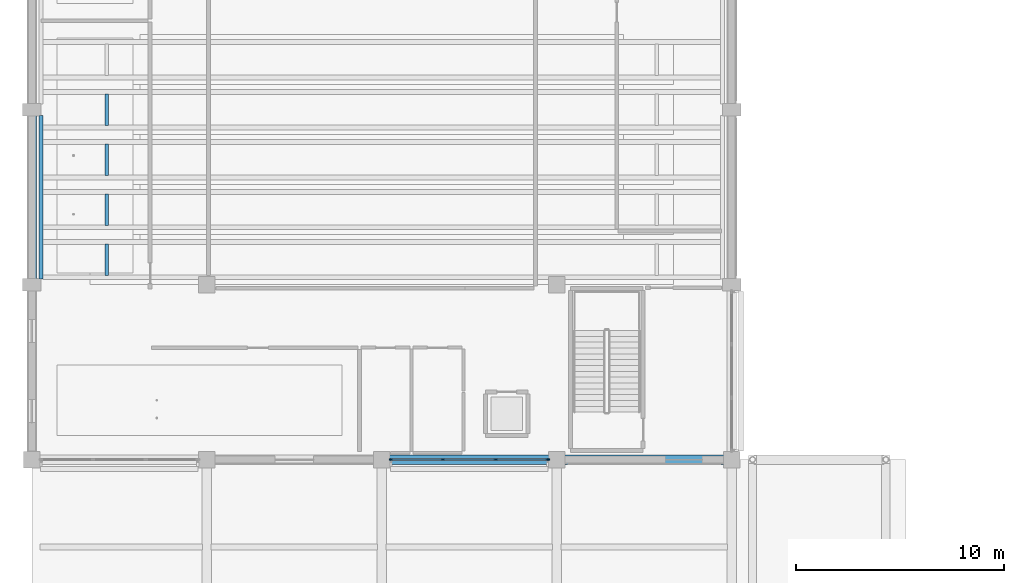
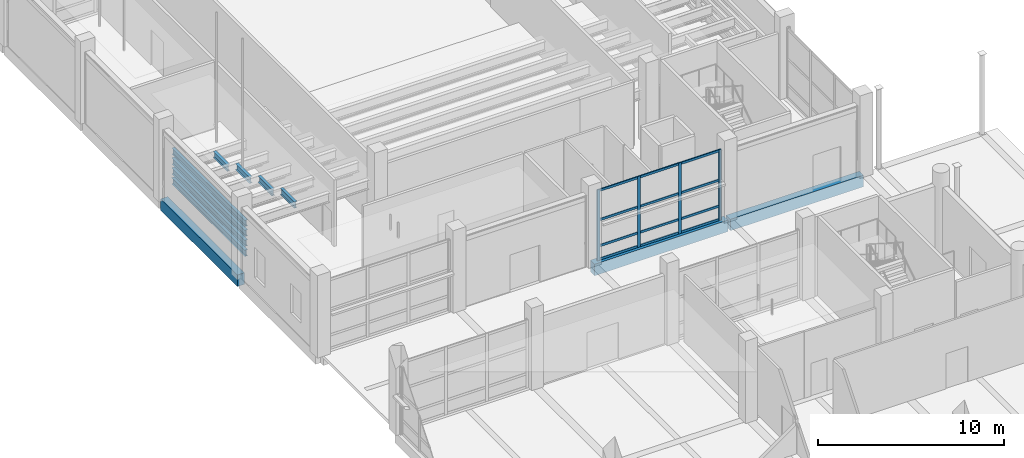
# One storey, part 36 of 140: 16 members, 11 beams, 1 element without a shape of its own.
"""IFC4 building model written with IfcOpenShell, lengths in metres."""

from ifc_helpers import new_model, si_unit, direction, frame, origin, origin_2d, place, context, subcontext, project, spatial, rectangle, i_section, extrude, material, layer, layer_set, material_profile, profile_set, type_object, element, aggregate, save


model = new_model("IFC4")

# Units and contexts
model_context = context("Model", 3, precision=1e-05, world=origin(), true_north=direction((0.0, 1.0)))
body_context = subcontext(model_context, "Body", "Model", "MODEL_VIEW")
ifc_project = project(units=[si_unit("LENGTHUNIT", "METRE"), si_unit("AREAUNIT", "SQUARE_METRE"), si_unit("VOLUMEUNIT", "CUBIC_METRE"), si_unit("PLANEANGLEUNIT", "RADIAN"), si_unit("MASSUNIT", "GRAM", prefix="KILO")], contexts=[model_context])

# Site, building, storey
site_placement = place(None, origin())
site = spatial("IfcSite", under=ifc_project, at=site_placement, CompositionType="ELEMENT")
building_placement = place(site_placement, origin())
building = spatial("IfcBuilding", under=site, at=building_placement, Name="Telukmera Botanical Conservatory", CompositionType="ELEMENT")
storey_placement = place(building_placement, origin())
storey = spatial("IfcBuildingStorey", under=building, at=storey_placement, Name="L00", CompositionType="ELEMENT", Elevation=0.0)

# Beams
ifc_material_1 = material(Name="Concrete C40/50", Category="concrete")
ifc_material_profile_1 = material_profile(ifc_material_1, rectangle(XDim=0.449951171875, YDim=0.75, at=origin_2d()), Name="RC 450x750")
ifc_profile_set_1 = profile_set([ifc_material_profile_1], Name="Concrete C40/50")
beam_type_1 = type_object("IfcBeamType", Name="Beam_B6", PredefinedType="BEAM", material=ifc_profile_set_1)
for number, where, z_axis, x_axis, name in (
    (1, (25.280029296875, 83.199951171875, -0.375), (1.0, 0.0, 0.0), (0.0, 1.0, 0.0), "Auditorium Frame Beam beam:V2:L00:gx:832:252"),
    (2, (33.679931640625, 83.199951171875, -0.375), (1.0, 0.0, 0.0), (0.0, 1.0, 0.0), "Auditorium Frame Beam beam:V2:L00:gx:832:336"),
    (3, (8.39990234375, 91.679931640625, -0.375), (0.0, 1.0, 0.0), (-1.0, 0.0, 0.0), "Auditorium Frame Beam beam:V2:L00:gy:84:916"),
):
    element("IfcBeam", number, at=place(storey_placement, frame(where, z_axis=z_axis, x_axis=x_axis)), inside=storey, type_object=beam_type_1, Name=name, PredefinedType="BEAM", context=body_context, shape_type="SweptSolid", body=[
        extrude(rectangle(XDim=0.449951171875, YDim=0.75, at=origin_2d()), origin(), (0.0, 0.0, 1.0), 8.239990234375),
    ])
ifc_material_2 = material(Name="Steel S355", Category="steel")
ifc_material_profile_2 = material_profile(ifc_material_2, i_section(OverallWidth=0.1787109375, OverallDepth=0.409423828125, WebThickness=0.0087890625, FlangeThickness=0.014404296875, FilletRadius=0.01025390625, at=origin_2d()), Name="UB 406x178x67")
ifc_profile_set_2 = profile_set([ifc_material_profile_2], Name="Steel S355")
beam_type_2 = type_object("IfcBeamType", Name="Beam_SB4", PredefinedType="BEAM", material=ifc_profile_set_2)
beam_1_placement = place(storey_placement, frame((8.840087890625, 91.8798828125, 3.04541015625), z_axis=(0.0, 1.0, 0.0), x_axis=(-1.0, 0.0, 0.0)))
element("IfcBeam", 4, at=beam_1_placement, inside=storey, type_object=beam_type_2, Name="Auditorium Tier Perimeter Stringer 1-A", PredefinedType="BEAM", context=body_context, shape_type="SweptSolid", body=[
    extrude(i_section(OverallWidth=0.1787109375, OverallDepth=0.409423828125, WebThickness=0.0087890625, FlangeThickness=0.014404296875, FilletRadius=0.01025390625, at=origin_2d()), origin(), (0.0, 0.0, 1.0), 7.840087890625),
])
beam_2_placement = place(storey_placement, frame((12.0, 92.050048828125, 3.04541015625), z_axis=(0.0, 1.0, 0.0), x_axis=(-1.0, 0.0, 0.0)))
element("IfcBeam", 5, at=beam_2_placement, inside=storey, type_object=beam_type_2, Name="Auditorium Seating Tier Cross Trimmer 1-W", PredefinedType="BEAM", context=body_context, shape_type="SweptSolid", body=[
    extrude(i_section(OverallWidth=0.1787109375, OverallDepth=0.409423828125, WebThickness=0.0087890625, FlangeThickness=0.014404296875, FilletRadius=0.01025390625, at=origin_2d()), origin(), (0.0, 0.0, 1.0), 1.5),
])
beam_3_placement = place(storey_placement, frame((8.840087890625, 91.8798828125, 2.395263671875), z_axis=(0.0, 1.0, 0.0), x_axis=(-1.0, 0.0, 0.0)))
element("IfcBeam", 6, at=beam_3_placement, inside=storey, type_object=beam_type_2, Name="Auditorium Tier Perimeter Stringer 2-A", PredefinedType="BEAM", context=body_context, shape_type="SweptSolid", body=[
    extrude(i_section(OverallWidth=0.1787109375, OverallDepth=0.409423828125, WebThickness=0.0087890625, FlangeThickness=0.014404296875, FilletRadius=0.01025390625, at=origin_2d()), origin(), (0.0, 0.0, 1.0), 7.840087890625),
])
beam_4_placement = place(storey_placement, frame((12.0, 94.449951171875, 2.395263671875), z_axis=(0.0, 1.0, 0.0), x_axis=(-1.0, 0.0, 0.0)))
element("IfcBeam", 7, at=beam_4_placement, inside=storey, type_object=beam_type_2, Name="Auditorium Seating Tier Cross Trimmer 2-W", PredefinedType="BEAM", context=body_context, shape_type="SweptSolid", body=[
    extrude(i_section(OverallWidth=0.1787109375, OverallDepth=0.409423828125, WebThickness=0.0087890625, FlangeThickness=0.014404296875, FilletRadius=0.01025390625, at=origin_2d()), origin(), (0.0, 0.0, 1.0), 1.5),
])
beam_5_placement = place(storey_placement, frame((8.840087890625, 91.8798828125, 1.745361328125), z_axis=(0.0, 1.0, 0.0), x_axis=(-1.0, 0.0, 0.0)))
element("IfcBeam", 8, at=beam_5_placement, inside=storey, type_object=beam_type_2, Name="Auditorium Tier Perimeter Stringer 3-A", PredefinedType="BEAM", context=body_context, shape_type="SweptSolid", body=[
    extrude(i_section(OverallWidth=0.1787109375, OverallDepth=0.409423828125, WebThickness=0.0087890625, FlangeThickness=0.014404296875, FilletRadius=0.01025390625, at=origin_2d()), origin(), (0.0, 0.0, 1.0), 7.840087890625),
])
beam_6_placement = place(storey_placement, frame((12.0, 96.85009765625, 1.745361328125), z_axis=(0.0, 1.0, 0.0), x_axis=(-1.0, 0.0, 0.0)))
element("IfcBeam", 9, at=beam_6_placement, inside=storey, type_object=beam_type_2, Name="Auditorium Seating Tier Cross Trimmer 3-W", PredefinedType="BEAM", context=body_context, shape_type="SweptSolid", body=[
    extrude(i_section(OverallWidth=0.1787109375, OverallDepth=0.409423828125, WebThickness=0.0087890625, FlangeThickness=0.014404296875, FilletRadius=0.01025390625, at=origin_2d()), origin(), (0.0, 0.0, 1.0), 1.5),
])
beam_7_placement = place(storey_placement, frame((8.840087890625, 91.8798828125, 1.09521484375), z_axis=(0.0, 1.0, 0.0), x_axis=(-1.0, 0.0, 0.0)))
element("IfcBeam", 10, at=beam_7_placement, inside=storey, type_object=beam_type_2, Name="Auditorium Tier Perimeter Stringer 4-A", PredefinedType="BEAM", context=body_context, shape_type="SweptSolid", body=[
    extrude(i_section(OverallWidth=0.1787109375, OverallDepth=0.409423828125, WebThickness=0.0087890625, FlangeThickness=0.014404296875, FilletRadius=0.01025390625, at=origin_2d()), origin(), (0.0, 0.0, 1.0), 7.840087890625),
])
beam_8_placement = place(storey_placement, frame((12.0, 99.25, 1.09521484375), z_axis=(0.0, 1.0, 0.0), x_axis=(-1.0, 0.0, 0.0)))
element("IfcBeam", 11, at=beam_8_placement, inside=storey, type_object=beam_type_2, Name="Auditorium Seating Tier Cross Trimmer 4-W", PredefinedType="BEAM", context=body_context, shape_type="SweptSolid", body=[
    extrude(i_section(OverallWidth=0.1787109375, OverallDepth=0.409423828125, WebThickness=0.0087890625, FlangeThickness=0.014404296875, FilletRadius=0.01025390625, at=origin_2d()), origin(), (0.0, 0.0, 1.0), 1.5),
])

# Curtain wall, members
ifc_material_3 = material(Name="Anodised aluminium 6063-T6", Category="aluminium")
ifc_layer = layer(ifc_material_3, 0.179931640625)
ifc_layer_set = layer_set([ifc_layer], Name="Anodised aluminium 6063-T6")
curtain_wall_type = type_object("IfcCurtainWallType", Name="Auditorium Ground Foyer Acoustic Curtain Wall", PredefinedType="USERDEFINED", material=ifc_layer_set)
curtain_wall_placement = place(storey_placement, origin())
curtain_wall = element("IfcCurtainWall", 12, at=curtain_wall_placement, inside=storey, type_object=curtain_wall_type, Name="Unitised Curtain Wall CW04 V2:L00:S3", ObjectType="UNITISED CURTAIN WALL", PredefinedType="USERDEFINED")
ifc_material_profile_3 = material_profile(ifc_material_3, rectangle(XDim=0.070068359375, YDim=0.179931640625, at=origin_2d()), Name="ALU MULL 70x180")
ifc_profile_set_3 = profile_set([ifc_material_profile_3], Name="Anodised aluminium 6063-T6")
member_type_1 = type_object("IfcMemberType", Name="Curtain Wall Extruded Mullion 70x180", PredefinedType="MULLION", material=ifc_profile_set_3)
member_1_placement = place(storey_placement, frame((25.636962890625, 83.199951171875, 0.0), z_axis=(0.0, 0.0, 1.0), x_axis=(0.0, 1.0, 0.0)))
member_1 = element("IfcMember", 13, at=member_1_placement, type_object=member_type_1, Name="CW04 mullion 1", PredefinedType="MULLION", context=body_context, shape_type="SweptSolid", body=[
    extrude(rectangle(XDim=0.070068359375, YDim=0.179931640625, at=origin_2d()), origin(), (0.0, 0.0, 1.0), 4.64990234375),
])
member_2_placement = place(storey_placement, frame((28.134033203125, 83.199951171875, 0.0), z_axis=(0.0, 0.0, 1.0), x_axis=(0.0, 1.0, 0.0)))
member_2 = element("IfcMember", 14, at=member_2_placement, type_object=member_type_1, Name="CW04 mullion 2", PredefinedType="MULLION", context=body_context, shape_type="SweptSolid", body=[
    extrude(rectangle(XDim=0.070068359375, YDim=0.179931640625, at=origin_2d()), origin(), (0.0, 0.0, 1.0), 4.64990234375),
])
member_3_placement = place(storey_placement, frame((30.666015625, 83.199951171875, 0.0), z_axis=(0.0, 0.0, 1.0), x_axis=(0.0, 1.0, 0.0)))
member_3 = element("IfcMember", 15, at=member_3_placement, type_object=member_type_1, Name="CW04 mullion 3", PredefinedType="MULLION", context=body_context, shape_type="SweptSolid", body=[
    extrude(rectangle(XDim=0.070068359375, YDim=0.179931640625, at=origin_2d()), origin(), (0.0, 0.0, 1.0), 4.64990234375),
])
member_4_placement = place(storey_placement, frame((33.1630859375, 83.199951171875, 0.0), z_axis=(0.0, 0.0, 1.0), x_axis=(0.0, 1.0, 0.0)))
member_4 = element("IfcMember", 16, at=member_4_placement, type_object=member_type_1, Name="CW04 mullion 4", PredefinedType="MULLION", context=body_context, shape_type="SweptSolid", body=[
    extrude(rectangle(XDim=0.070068359375, YDim=0.179931640625, at=origin_2d()), origin(), (0.0, 0.0, 1.0), 4.64990234375),
])
ifc_material_profile_4 = material_profile(ifc_material_3, rectangle(XDim=0.070068359375, YDim=0.14990234375, at=origin_2d()), Name="ALU TRAN 70x150")
ifc_profile_set_4 = profile_set([ifc_material_profile_4], Name="Anodised aluminium 6063-T6")
member_type_2 = type_object("IfcMemberType", Name="Curtain Wall Extruded Transom 70x150", PredefinedType="USERDEFINED", material=ifc_profile_set_4)
member_5_placement = place(storey_placement, frame((25.672119140625, 83.199951171875, 0.074951171875), z_axis=(1.0, 0.0, 0.0), x_axis=(0.0, 1.0, 0.0)))
member_5 = element("IfcMember", 17, at=member_5_placement, type_object=member_type_2, Name="CW04 transom 1.1", ObjectType="TRANSOM", PredefinedType="USERDEFINED", context=body_context, shape_type="SweptSolid", body=[
    extrude(rectangle(XDim=0.070068359375, YDim=0.14990234375, at=origin_2d()), origin(), (0.0, 0.0, 1.0), 2.427001953125),
])
member_6_placement = place(storey_placement, frame((25.672119140625, 83.199951171875, 0.949951171875), z_axis=(1.0, 0.0, 0.0), x_axis=(0.0, 1.0, 0.0)))
member_6 = element("IfcMember", 18, at=member_6_placement, type_object=member_type_2, Name="CW04 transom 1.2", ObjectType="TRANSOM", PredefinedType="USERDEFINED", context=body_context, shape_type="SweptSolid", body=[
    extrude(rectangle(XDim=0.070068359375, YDim=0.14990234375, at=origin_2d()), origin(), (0.0, 0.0, 1.0), 2.427001953125),
])
member_7_placement = place(storey_placement, frame((25.672119140625, 83.199951171875, 2.64990234375), z_axis=(1.0, 0.0, 0.0), x_axis=(0.0, 1.0, 0.0)))
member_7 = element("IfcMember", 19, at=member_7_placement, type_object=member_type_2, Name="CW04 transom 1.3", ObjectType="TRANSOM", PredefinedType="USERDEFINED", context=body_context, shape_type="SweptSolid", body=[
    extrude(rectangle(XDim=0.070068359375, YDim=0.14990234375, at=origin_2d()), origin(), (0.0, 0.0, 1.0), 2.427001953125),
])
member_8_placement = place(storey_placement, frame((25.672119140625, 83.199951171875, 4.574951171875), z_axis=(1.0, 0.0, 0.0), x_axis=(0.0, 1.0, 0.0)))
member_8 = element("IfcMember", 20, at=member_8_placement, type_object=member_type_2, Name="CW04 transom 1.4", ObjectType="TRANSOM", PredefinedType="USERDEFINED", context=body_context, shape_type="SweptSolid", body=[
    extrude(rectangle(XDim=0.070068359375, YDim=0.14990234375, at=origin_2d()), origin(), (0.0, 0.0, 1.0), 2.427001953125),
])
member_9_placement = place(storey_placement, frame((28.1689453125, 83.199951171875, 0.074951171875), z_axis=(1.0, 0.0, 0.0), x_axis=(0.0, 1.0, 0.0)))
member_9 = element("IfcMember", 21, at=member_9_placement, type_object=member_type_2, Name="CW04 transom 2.1", ObjectType="TRANSOM", PredefinedType="USERDEFINED", context=body_context, shape_type="SweptSolid", body=[
    extrude(rectangle(XDim=0.070068359375, YDim=0.14990234375, at=origin_2d()), origin(), (0.0, 0.0, 1.0), 2.462158203125),
])
member_10_placement = place(storey_placement, frame((28.1689453125, 83.199951171875, 0.949951171875), z_axis=(1.0, 0.0, 0.0), x_axis=(0.0, 1.0, 0.0)))
member_10 = element("IfcMember", 22, at=member_10_placement, type_object=member_type_2, Name="CW04 transom 2.2", ObjectType="TRANSOM", PredefinedType="USERDEFINED", context=body_context, shape_type="SweptSolid", body=[
    extrude(rectangle(XDim=0.070068359375, YDim=0.14990234375, at=origin_2d()), origin(), (0.0, 0.0, 1.0), 2.462158203125),
])
member_11_placement = place(storey_placement, frame((28.1689453125, 83.199951171875, 2.64990234375), z_axis=(1.0, 0.0, 0.0), x_axis=(0.0, 1.0, 0.0)))
member_11 = element("IfcMember", 23, at=member_11_placement, type_object=member_type_2, Name="CW04 transom 2.3", ObjectType="TRANSOM", PredefinedType="USERDEFINED", context=body_context, shape_type="SweptSolid", body=[
    extrude(rectangle(XDim=0.070068359375, YDim=0.14990234375, at=origin_2d()), origin(), (0.0, 0.0, 1.0), 2.462158203125),
])
member_12_placement = place(storey_placement, frame((28.1689453125, 83.199951171875, 4.574951171875), z_axis=(1.0, 0.0, 0.0), x_axis=(0.0, 1.0, 0.0)))
member_12 = element("IfcMember", 24, at=member_12_placement, type_object=member_type_2, Name="CW04 transom 2.4", ObjectType="TRANSOM", PredefinedType="USERDEFINED", context=body_context, shape_type="SweptSolid", body=[
    extrude(rectangle(XDim=0.070068359375, YDim=0.14990234375, at=origin_2d()), origin(), (0.0, 0.0, 1.0), 2.462158203125),
])
member_13_placement = place(storey_placement, frame((30.700927734375, 83.199951171875, 0.074951171875), z_axis=(1.0, 0.0, 0.0), x_axis=(0.0, 1.0, 0.0)))
member_13 = element("IfcMember", 25, at=member_13_placement, type_object=member_type_2, Name="CW04 transom 3.1", ObjectType="TRANSOM", PredefinedType="USERDEFINED", context=body_context, shape_type="SweptSolid", body=[
    extrude(rectangle(XDim=0.070068359375, YDim=0.14990234375, at=origin_2d()), origin(), (0.0, 0.0, 1.0), 2.427001953125),
])
member_14_placement = place(storey_placement, frame((30.700927734375, 83.199951171875, 0.949951171875), z_axis=(1.0, 0.0, 0.0), x_axis=(0.0, 1.0, 0.0)))
member_14 = element("IfcMember", 26, at=member_14_placement, type_object=member_type_2, Name="CW04 transom 3.2", ObjectType="TRANSOM", PredefinedType="USERDEFINED", context=body_context, shape_type="SweptSolid", body=[
    extrude(rectangle(XDim=0.070068359375, YDim=0.14990234375, at=origin_2d()), origin(), (0.0, 0.0, 1.0), 2.427001953125),
])
member_15_placement = place(storey_placement, frame((30.700927734375, 83.199951171875, 2.64990234375), z_axis=(1.0, 0.0, 0.0), x_axis=(0.0, 1.0, 0.0)))
member_15 = element("IfcMember", 27, at=member_15_placement, type_object=member_type_2, Name="CW04 transom 3.3", ObjectType="TRANSOM", PredefinedType="USERDEFINED", context=body_context, shape_type="SweptSolid", body=[
    extrude(rectangle(XDim=0.070068359375, YDim=0.14990234375, at=origin_2d()), origin(), (0.0, 0.0, 1.0), 2.427001953125),
])
member_16_placement = place(storey_placement, frame((30.700927734375, 83.199951171875, 4.574951171875), z_axis=(1.0, 0.0, 0.0), x_axis=(0.0, 1.0, 0.0)))
member_16 = element("IfcMember", 28, at=member_16_placement, type_object=member_type_2, Name="CW04 transom 3.4", ObjectType="TRANSOM", PredefinedType="USERDEFINED", context=body_context, shape_type="SweptSolid", body=[
    extrude(rectangle(XDim=0.070068359375, YDim=0.14990234375, at=origin_2d()), origin(), (0.0, 0.0, 1.0), 2.427001953125),
])
aggregate(curtain_wall, [member_1, member_2, member_3, member_4, member_5, member_6, member_7, member_8, member_9, member_10, member_11, member_12, member_13, member_14, member_15, member_16])

save(model, "model.ifc")
